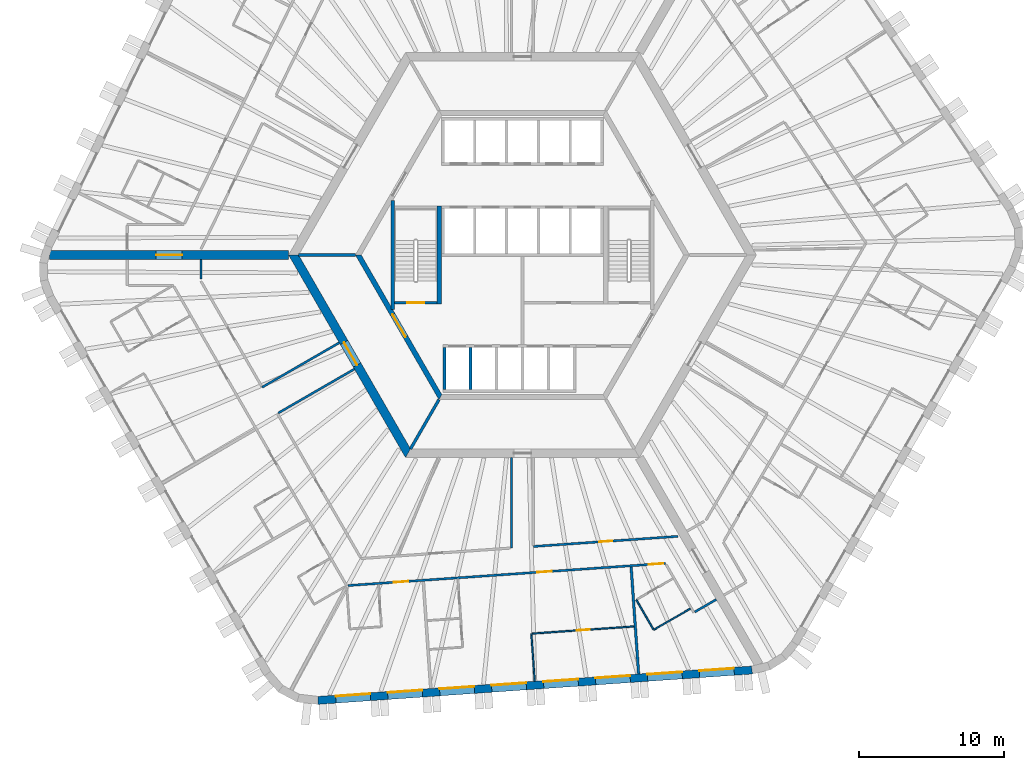
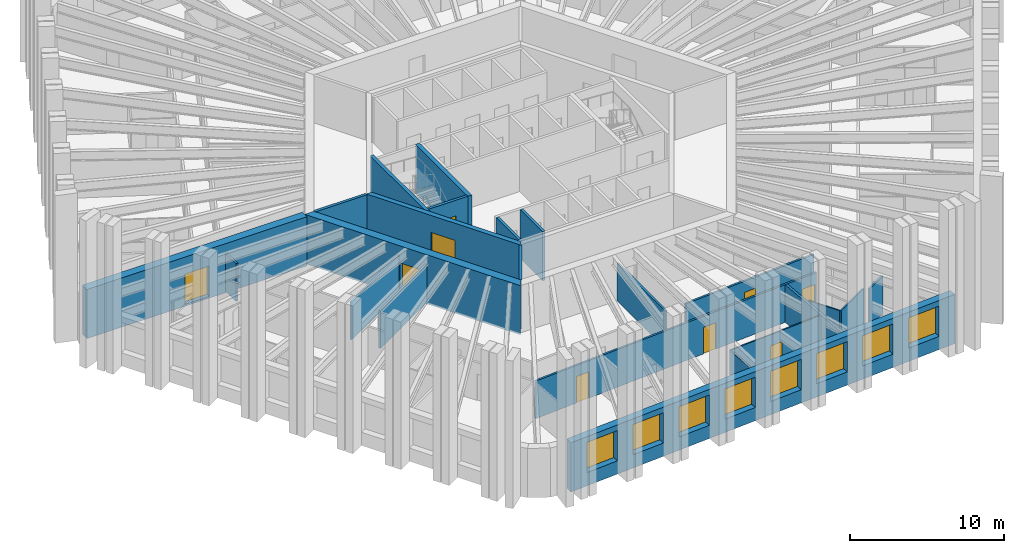
# One storey, part 4 of 13: 23 walls, 9 doors, 8 windows, 17 openings.
"""IFC4 building model written with IfcOpenShell, lengths in metres."""

from ifc_helpers import new_model, si_unit, direction, frame, frame_2d, origin, place, context, subcontext, project, spatial, polyline, rectangle, outline, extrude, material, layer, layer_set, type_object, element, fill, save


model = new_model("IFC4")

# Units and contexts
model_context = context("Model", 3, precision=1e-05, world=origin(), true_north=direction((0.0, 1.0)))
body_context = subcontext(model_context, "Body", "Model", "MODEL_VIEW")
ifc_project = project(units=[si_unit("LENGTHUNIT", "METRE"), si_unit("AREAUNIT", "SQUARE_METRE"), si_unit("VOLUMEUNIT", "CUBIC_METRE"), si_unit("PLANEANGLEUNIT", "RADIAN"), si_unit("MASSUNIT", "GRAM", prefix="KILO")], contexts=[model_context])

# Site, building, storey
site_placement = place(None, origin())
site = spatial("IfcSite", under=ifc_project, at=site_placement, CompositionType="ELEMENT")
building_placement = place(site_placement, origin())
building = spatial("IfcBuilding", under=site, at=building_placement, Name="Tarnside Tower", CompositionType="ELEMENT")
storey_placement = place(building_placement, frame((0.0, 0.0, 123.300048828125)))
storey = spatial("IfcBuildingStorey", under=building, at=storey_placement, Name="L28", CompositionType="ELEMENT", Elevation=123.300048828125)

# Walls
ifc_material_1 = material(Name="Gypsum board partition on steel studs", Category="steel")
ifc_layer_1 = layer(ifc_material_1, 0.10009765625)
ifc_layer_set_1 = layer_set([ifc_layer_1], Name="Bathroom wall 100")
wall_type_1 = type_object("IfcWallType", Name="Bathroom wall 100", PredefinedType="PARTITIONING", material=ifc_layer_set_1)
wall_1_placement = place(storey_placement, frame((11.6015625, -24.444580078125, 0.0), z_axis=(0.0, 0.0, 1.0), x_axis=(-0.866046596414, -0.499963291492, 0.0)))
element("IfcWall", 1, at=wall_1_placement, inside=storey, type_object=wall_type_1, Name="Bathroom wall 09140", PredefinedType="PARTITIONING", context=body_context, shape_type="SweptSolid", body=[
    extrude(rectangle(XDim=2.925048828125, YDim=0.10009765625, at=frame_2d((1.46240234375, 0.0))), origin(), (0.0, 0.0, 1.0), 2.98779296875),
])
wall_2_placement = place(storey_placement, frame((9.04345703125, -25.86376953125, 0.0), z_axis=(0.0, 0.0, 1.0), x_axis=(-0.500016218704, 0.866016039709, 0.0)))
element("IfcWall", 2, at=wall_2_placement, inside=storey, type_object=wall_type_1, Name="Bathroom wall 09141", PredefinedType="PARTITIONING", context=body_context, shape_type="SweptSolid", body=[
    extrude(rectangle(XDim=2.35009765625, YDim=0.10009765625, at=frame_2d((1.175048828125, 0.0))), origin(), (0.0, 0.0, 1.0), 2.98779296875),
])

# Wall, opening, door
ifc_material_2 = material(Name="Concrete C50/60", Category="concrete")
ifc_layer_2 = layer(ifc_material_2, 0.35009765625)
ifc_layer_set_2 = layer_set([ifc_layer_2], Name="Core block wall 350 C50/60")
wall_type_2 = type_object("IfcWallType", Name="Core block wall 350 C50/60", PredefinedType="SHEAR", material=ifc_layer_set_2)
wall_3_placement = place(storey_placement, frame((-11.344970703125, 0.0, -0.150146484375), z_axis=(0.0, 0.0, 1.0), x_axis=(0.499995046907, -0.866028263435, 0.0)))
wall_3 = element("IfcWall", 3, at=wall_3_placement, inside=storey, type_object=wall_type_2, Name="L28 core block wall face 3", PredefinedType="SHEAR", context=body_context, shape_type="SweptSolid", body=[
    extrude(outline(polyline([(-0.10107421875, -0.175048828125), (11.44580078125, -0.175048828125), (11.24365234375, 0.175048828125), (0.10107421875, 0.175048828125), (-0.10107421875, -0.175048828125)])), origin(), (0.0, 0.0, 1.0), 3.900146484375),
])
opening_1_placement = place(wall_3_placement, frame((4.74365234375, 0.0, 0.14990234375)))
opening_1 = element("IfcOpeningElement", 4, at=opening_1_placement, cuts=wall_3, Name="Opening CD-FFL", PredefinedType="OPENING", context=body_context, shape_type="SweptSolid", body=[
    extrude(rectangle(XDim=1.800048828125, YDim=2.39990234375, at=frame_2d((0.89990234375, 1.199951171875))), frame((0.0, 0.18505859375, 0.0), z_axis=(0.0, -1.0, 0.0), x_axis=(1.0, 0.0, 0.0)), (0.0, 0.0, 1.0), 0.3701171875),
])
ifc_material_3 = material(Name="Steel fire door", Category="steel")
door_type_1 = type_object("IfcDoorType", Name="Firefighting lobby double door FD60S 1800x2400", OperationType="NOTDEFINED", PredefinedType="DOOR", material=ifc_material_3)
door_1_placement = place(opening_1_placement, origin())
door_1 = element("IfcDoor", 5, at=door_1_placement, inside=storey, type_object=door_type_1, Name="L28 lobby block door P3", OperationType="DOUBLE_DOOR_SINGLE_SWING", OverallHeight=2.39990234375, OverallWidth=1.800048828125, PredefinedType="DOOR", context=body_context, shape_type="SweptSolid", body=[
    extrude(rectangle(XDim=1.800048828125, YDim=2.39990234375, at=frame_2d((0.89990234375, 1.199951171875))), frame((0.0, 0.02490234375, 0.0), z_axis=(0.0, -1.0, 0.0), x_axis=(1.0, 0.0, 0.0)), (0.0, 0.0, 1.0), 0.050048828125),
])
fill(opening_1, door_1)

ifc_material_4 = material(Name="Concrete C80/95", Category="concrete")
ifc_layer_3 = layer(ifc_material_4, 0.60009765625)
ifc_layer_set_3 = layer_set([ifc_layer_3], Name="Core wall Z1 600 C80/95")
wall_type_3 = type_object("IfcWallType", Name="Core wall Z1 600 C80/95", PredefinedType="SHEAR", material=ifc_layer_set_3)
wall_4_placement = place(storey_placement, frame((-15.8193359375, 0.0, -0.150146484375), z_axis=(0.0, 0.0, 1.0), x_axis=(0.499999880136, -0.866025472988, 0.0)))
wall_4 = element("IfcWall", 6, at=wall_4_placement, inside=storey, type_object=wall_type_3, Name="L28 core wall face 3", PredefinedType="SHEAR", context=body_context, shape_type="SweptSolid", body=[
    extrude(outline(polyline([(-0.17333984375, -0.300048828125), (15.99267578125, -0.300048828125), (15.64599609375, 0.300048828125), (0.17333984375, 0.300048828125), (-0.17333984375, -0.300048828125)])), origin(), (0.0, 0.0, 1.0), 3.900146484375),
])
opening_2_placement = place(wall_4_placement, frame((6.980712890625, 0.0, 0.14990234375)))
opening_2 = element("IfcOpeningElement", 7, at=opening_2_placement, cuts=wall_4, Name="Opening CD-FFL", PredefinedType="OPENING", context=body_context, shape_type="SweptSolid", body=[
    extrude(rectangle(XDim=1.800048828125, YDim=2.39990234375, at=frame_2d((0.89990234375, 1.199951171875))), frame((0.0, 0.31005859375, 0.0), z_axis=(0.0, -1.0, 0.0), x_axis=(1.0, 0.0, 0.0)), (0.0, 0.0, 1.0), 0.6201171875),
])
door_2_placement = place(opening_2_placement, origin())
door_2 = element("IfcDoor", 8, at=door_2_placement, inside=storey, type_object=door_type_1, Name="L28 core door P3", OperationType="DOUBLE_DOOR_SINGLE_SWING", OverallHeight=2.39990234375, OverallWidth=1.800048828125, PredefinedType="DOOR", context=body_context, shape_type="SweptSolid", body=[
    extrude(rectangle(XDim=1.800048828125, YDim=2.39990234375, at=frame_2d((0.89990234375, 1.199951171875))), frame((0.0, 0.02490234375, 0.0), z_axis=(0.0, -1.0, 0.0), x_axis=(1.0, 0.0, 0.0)), (0.0, 0.0, 1.0), 0.050048828125),
])
fill(opening_2, door_2)

wall_5_placement = place(storey_placement, frame((-16.165771484375, 0.0, -0.150146484375), z_axis=(0.0, 0.0, 1.0), x_axis=(-1.0, 0.0, 0.0)))
wall_5 = element("IfcWall", 9, at=wall_5_placement, inside=storey, type_object=wall_type_3, Name="L28 spine wall 2", PredefinedType="SHEAR", context=body_context, shape_type="SweptSolid", body=[
    extrude(rectangle(XDim=16.509033203125, YDim=0.60009765625, at=frame_2d((8.25439453125, 0.0))), origin(), (0.0, 0.0, 1.0), 3.900146484375),
])
opening_3_placement = place(wall_5_placement, frame((7.3544921875, 0.0, 0.14990234375)))
opening_3 = element("IfcOpeningElement", 10, at=opening_3_placement, cuts=wall_5, Name="Opening CD-SPN", PredefinedType="OPENING", context=body_context, shape_type="SweptSolid", body=[
    extrude(rectangle(XDim=1.800048828125, YDim=2.39990234375, at=frame_2d((0.89990234375, 1.199951171875))), frame((0.0, 0.31005859375, 0.0), z_axis=(0.0, -1.0, 0.0), x_axis=(1.0, 0.0, 0.0)), (0.0, 0.0, 1.0), 0.6201171875),
])
door_type_2 = type_object("IfcDoorType", Name="Spine passage double door FD60 1800x2400", OperationType="NOTDEFINED", PredefinedType="DOOR", material=ifc_material_3)
door_3_placement = place(opening_3_placement, origin())
door_3 = element("IfcDoor", 11, at=door_3_placement, inside=storey, type_object=door_type_2, Name="L28 spine passage door 2", OperationType="DOUBLE_DOOR_SINGLE_SWING", OverallHeight=2.39990234375, OverallWidth=1.800048828125, PredefinedType="DOOR", context=body_context, shape_type="SweptSolid", body=[
    extrude(rectangle(XDim=1.800048828125, YDim=2.39990234375, at=frame_2d((0.89990234375, 1.199951171875))), frame((0.0, 0.02490234375, 0.0), z_axis=(0.0, -1.0, 0.0), x_axis=(1.0, 0.0, 0.0)), (0.0, 0.0, 1.0), 0.050048828125),
])
fill(opening_3, door_3)

# Wall, openings, doors
ifc_layer_4 = layer(ifc_material_1, 0.14990234375)
ifc_layer_set_4 = layer_set([ifc_layer_4], Name="Corridor wall 150 EI 60")
wall_type_4 = type_object("IfcWallType", Name="Corridor wall 150 EI 60", PredefinedType="PARTITIONING", material=ifc_layer_set_4)
wall_6_placement = place(storey_placement, frame((-12.068115234375, -22.847412109375, 0.0), z_axis=(0.0, 0.0, 1.0), x_axis=(0.99756437486, 0.069751831595, 0.0)))
wall_6 = element("IfcWall", 12, at=wall_6_placement, inside=storey, type_object=wall_type_4, Name="Corridor wall 09035", PredefinedType="PARTITIONING", context=body_context, shape_type="SweptSolid", body=[
    extrude(rectangle(XDim=22.001708984375, YDim=0.14990234375, at=frame_2d((11.0009765625, 0.0))), origin(), (0.0, 0.0, 1.0), 2.98779296875),
])
opening_4_placement = place(wall_6_placement, frame((3.1689453125, 0.0, 0.0)))
opening_4 = element("IfcOpeningElement", 13, at=opening_4_placement, cuts=wall_6, Name="Opening D-E1", PredefinedType="OPENING", context=body_context, shape_type="SweptSolid", body=[
    extrude(rectangle(XDim=1.0, YDim=2.10009765625, at=frame_2d((0.5, 1.050048828125))), frame((0.0, 0.0849609375, 0.0), z_axis=(0.0, -1.0, 0.0), x_axis=(1.0, 0.0, 0.0)), (0.0, 0.0, 1.0), 0.169921875),
])
opening_5_placement = place(wall_6_placement, frame((13.121337890625, 0.0, 0.0)))
opening_5 = element("IfcOpeningElement", 14, at=opening_5_placement, cuts=wall_6, Name="Opening D-E1", PredefinedType="OPENING", context=body_context, shape_type="SweptSolid", body=[
    extrude(rectangle(XDim=1.0, YDim=2.10009765625, at=frame_2d((0.5, 1.050048828125))), frame((0.0, 0.0849609375, 0.0), z_axis=(0.0, -1.0, 0.0), x_axis=(1.0, 0.0, 0.0)), (0.0, 0.0, 1.0), 0.169921875),
])
opening_6_placement = place(wall_6_placement, frame((20.851806640625, 0.0, 0.0)))
opening_6 = element("IfcOpeningElement", 15, at=opening_6_placement, cuts=wall_6, Name="Opening D-E1", PredefinedType="OPENING", context=body_context, shape_type="SweptSolid", body=[
    extrude(rectangle(XDim=1.0, YDim=2.10009765625, at=frame_2d((0.5, 1.050048828125))), frame((0.0, 0.0849609375, 0.0), z_axis=(0.0, -1.0, 0.0), x_axis=(1.0, 0.0, 0.0)), (0.0, 0.0, 1.0), 0.169921875),
])
ifc_material_5 = material(Name="Timber door leaf", Category="wood")
door_type_3 = type_object("IfcDoorType", Name="Unit entrance door 1000 FD30S", OperationType="NOTDEFINED", PredefinedType="DOOR", material=ifc_material_5)
door_4_placement = place(opening_4_placement, origin())
door_4 = element("IfcDoor", 16, at=door_4_placement, inside=storey, type_object=door_type_3, Name="Unit door 09023", OperationType="SINGLE_SWING_LEFT", OverallHeight=2.10009765625, OverallWidth=1.0, PredefinedType="DOOR", context=body_context, shape_type="SweptSolid", body=[
    extrude(rectangle(XDim=1.0, YDim=2.10009765625, at=frame_2d((0.5, 1.050048828125))), frame((0.0, 0.02490234375, 0.0), z_axis=(0.0, -1.0, 0.0), x_axis=(1.0, 0.0, 0.0)), (0.0, 0.0, 1.0), 0.050048828125),
])
fill(opening_4, door_4)
door_5_placement = place(opening_5_placement, origin())
door_5 = element("IfcDoor", 17, at=door_5_placement, inside=storey, type_object=door_type_3, Name="Unit door 09025", OperationType="SINGLE_SWING_RIGHT", OverallHeight=2.10009765625, OverallWidth=1.0, PredefinedType="DOOR", context=body_context, shape_type="SweptSolid", body=[
    extrude(rectangle(XDim=1.0, YDim=2.10009765625, at=frame_2d((0.5, 1.050048828125))), frame((0.0, 0.02490234375, 0.0), z_axis=(0.0, -1.0, 0.0), x_axis=(1.0, 0.0, 0.0)), (0.0, 0.0, 1.0), 0.050048828125),
])
fill(opening_5, door_5)
door_6_placement = place(opening_6_placement, origin())
door_6 = element("IfcDoor", 18, at=door_6_placement, inside=storey, type_object=door_type_3, Name="Unit door 09029", OperationType="SINGLE_SWING_LEFT", OverallHeight=2.10009765625, OverallWidth=1.0, PredefinedType="DOOR", context=body_context, shape_type="SweptSolid", body=[
    extrude(rectangle(XDim=1.0, YDim=2.10009765625, at=frame_2d((0.5, 1.050048828125))), frame((0.0, 0.02490234375, 0.0), z_axis=(0.0, -1.0, 0.0), x_axis=(1.0, 0.0, 0.0)), (0.0, 0.0, 1.0), 0.050048828125),
])
fill(opening_6, door_6)

# Walls
wall_7_placement = place(storey_placement, frame((11.906494140625, -24.672607421875, 0.0), z_axis=(0.0, 0.0, 1.0), x_axis=(0.866013532718, 0.500020560727, 0.0)))
element("IfcWall", 19, at=wall_7_placement, inside=storey, type_object=wall_type_4, Name="Corridor wall 09042", PredefinedType="PARTITIONING", context=body_context, shape_type="SweptSolid", body=[
    extrude(rectangle(XDim=1.72509765625, YDim=0.14990234375, at=frame_2d((0.862548828125, 0.0))), origin(), (0.0, 0.0, 1.0), 2.98779296875),
])
wall_8_placement = place(storey_placement, frame((-12.663818359375, -6.065673828125, 0.0), z_axis=(0.0, 0.0, 1.0), x_axis=(-0.866023618125, -0.500003092839, 0.0)))
element("IfcWall", 20, at=wall_8_placement, inside=storey, type_object=wall_type_4, Name="Corridor wall 09044", PredefinedType="PARTITIONING", context=body_context, shape_type="SweptSolid", body=[
    extrude(rectangle(XDim=6.14990234375, YDim=0.14990234375, at=frame_2d((3.074951171875, 0.0))), origin(), (0.0, 0.0, 1.0), 2.98779296875),
])
wall_9_placement = place(storey_placement, frame((-22.218994140625, -1.665771484375, 0.0), z_axis=(0.0, 0.0, 1.0), x_axis=(0.0, 1.0, 0.0)))
element("IfcWall", 21, at=wall_9_placement, inside=storey, type_object=wall_type_4, Name="Corridor wall 09046", PredefinedType="PARTITIONING", context=body_context, shape_type="SweptSolid", body=[
    extrude(rectangle(XDim=1.36572265625, YDim=0.14990234375, at=frame_2d((0.682861328125, 0.0))), origin(), (0.0, 0.0, 1.0), 2.98779296875),
])
wall_10_placement = place(storey_placement, frame((-0.75, -14.0, 0.0), z_axis=(0.0, 0.0, 1.0), x_axis=(0.0, -1.0, 0.0)))
element("IfcWall", 22, at=wall_10_placement, inside=storey, type_object=wall_type_4, Name="Corridor wall 09047", PredefinedType="PARTITIONING", context=body_context, shape_type="SweptSolid", body=[
    extrude(rectangle(XDim=6.251708984375, YDim=0.14990234375, at=frame_2d((3.1259765625, 0.0))), origin(), (0.0, 0.0, 1.0), 2.98779296875),
])
wall_11_placement = place(storey_placement, frame((-16.875, -10.921875, 0.0), z_axis=(0.0, 0.0, 1.0), x_axis=(0.866023634079, 0.500003065207, 0.0)))
element("IfcWall", 23, at=wall_11_placement, inside=storey, type_object=wall_type_4, Name="Corridor wall 09051", PredefinedType="PARTITIONING", context=body_context, shape_type="SweptSolid", body=[
    extrude(rectangle(XDim=6.0751953125, YDim=0.14990234375, at=frame_2d((3.03759765625, 0.0))), origin(), (0.0, 0.0, 1.0), 2.98779296875),
])

# Wall, opening, door
wall_12_placement = place(storey_placement, frame((10.75439453125, -19.447265625, 0.0), z_axis=(0.0, 0.0, 1.0), x_axis=(-0.997564830966, -0.069745308232, 0.0)))
wall_12 = element("IfcWall", 24, at=wall_12_placement, inside=storey, type_object=wall_type_4, Name="Corridor wall 09052", PredefinedType="PARTITIONING", context=body_context, shape_type="SweptSolid", body=[
    extrude(rectangle(XDim=10.02880859375, YDim=0.14990234375, at=frame_2d((5.014404296875, 0.0))), origin(), (0.0, 0.0, 1.0), 2.98779296875),
])
opening_7_placement = place(wall_12_placement, frame((4.564453125, 0.0, 0.0)))
opening_7 = element("IfcOpeningElement", 25, at=opening_7_placement, cuts=wall_12, Name="Opening D-S1", PredefinedType="OPENING", context=body_context, shape_type="SweptSolid", body=[
    extrude(rectangle(XDim=0.89990234375, YDim=2.10009765625, at=frame_2d((0.449951171875, 1.050048828125))), frame((0.0, 0.0849609375, 0.0), z_axis=(0.0, -1.0, 0.0), x_axis=(1.0, 0.0, 0.0)), (0.0, 0.0, 1.0), 0.169921875),
])
door_type_4 = type_object("IfcDoorType", Name="Service room door 900 FD30S", OperationType="NOTDEFINED", PredefinedType="DOOR", material=ifc_material_5)
door_7_placement = place(opening_7_placement, origin())
door_7 = element("IfcDoor", 26, at=door_7_placement, inside=storey, type_object=door_type_4, Name="Service door 09052", OperationType="SINGLE_SWING_LEFT", OverallHeight=2.10009765625, OverallWidth=0.89990234375, PredefinedType="DOOR", context=body_context, shape_type="SweptSolid", body=[
    extrude(rectangle(XDim=0.89990234375, YDim=2.10009765625, at=frame_2d((0.449951171875, 1.050048828125))), frame((0.0, 0.02490234375, 0.0), z_axis=(0.0, -1.0, 0.0), x_axis=(1.0, 0.0, 0.0)), (0.0, 0.0, 1.0), 0.050048828125),
])
fill(opening_7, door_7)

# Walls
ifc_layer_5 = layer(ifc_material_1, 0.179931640625)
ifc_layer_set_5 = layer_set([ifc_layer_5], Name="Demising wall 180 EI 60")
wall_type_5 = type_object("IfcWallType", Name="Demising wall 180 EI 60", PredefinedType="PARTITIONING", material=ifc_layer_set_5)
wall_13_placement = place(storey_placement, frame((8.028564453125, -28.96044921875, 0.0), z_axis=(0.0, 0.0, 1.0), x_axis=(-0.069739801019, 0.99756521599, 0.0)))
element("IfcWall", 27, at=wall_13_placement, inside=storey, type_object=wall_type_5, Name="Demising wall 09137", PredefinedType="PARTITIONING", context=body_context, shape_type="SweptSolid", body=[
    extrude(rectangle(XDim=7.425048828125, YDim=0.179931640625, at=frame_2d((3.71240234375, 0.0))), origin(), (0.0, 0.0, 1.0), 2.98779296875),
])
ifc_material_6 = material(Name="Concrete C40/50", Category="concrete")
ifc_layer_6 = layer(ifc_material_6, 0.199951171875)
ifc_layer_set_6 = layer_set([ifc_layer_6], Name="Lift shaft wall 200 C40/50")
wall_type_6 = type_object("IfcWallType", Name="Lift shaft wall 200 C40/50", PredefinedType="SHEAR", material=ifc_layer_set_6)
for number, where, z_axis, x_axis, name in (
    (28, (-5.39990234375, -9.300048828125, -0.25), (0.0, 0.0, 1.0), (0.0, 1.0, 0.0), "L28 lift shaft partition R41"),
    (29, (-3.60009765625, -9.300048828125, -0.25), (0.0, 0.0, 1.0), (0.0, 1.0, 0.0), "L28 lift shaft partition R42"),
):
    element("IfcWall", number, at=place(storey_placement, frame(where, z_axis=z_axis, x_axis=x_axis)), inside=storey, type_object=wall_type_6, Name=name, PredefinedType="SHEAR", context=body_context, shape_type="SweptSolid", body=[
        extrude(rectangle(XDim=2.900146484375, YDim=0.199951171875, at=frame_2d((1.4501953125, 0.0))), origin(), (0.0, 0.0, 1.0), 3.89990234375),
    ])
wall_14_placement = place(storey_placement, frame((-11.547119140625, 0.0, -0.150146484375), z_axis=(0.0, 0.0, 1.0), x_axis=(-1.0, 0.0, 0.0)))
element("IfcWall", 30, at=wall_14_placement, inside=storey, type_object=wall_type_6, Name="L28 core partition AR180", PredefinedType="SHEAR", context=body_context, shape_type="SweptSolid", body=[
    extrude(rectangle(XDim=3.92578125, YDim=0.199951171875, at=frame_2d((1.962890625, 0.0))), origin(), (0.0, 0.0, 1.0), 3.900146484375),
])
wall_15_placement = place(storey_placement, frame((-5.7734375, -10.0, -0.150146484375), z_axis=(0.0, 0.0, 1.0), x_axis=(-0.500038251005, -0.86600331843, 0.0)))
element("IfcWall", 31, at=wall_15_placement, inside=storey, type_object=wall_type_6, Name="L28 core partition AR240", PredefinedType="SHEAR", context=body_context, shape_type="SweptSolid", body=[
    extrude(rectangle(XDim=3.926025390625, YDim=0.199951171875, at=frame_2d((1.962890625, 0.0))), origin(), (0.0, 0.0, 1.0), 3.900146484375),
])

# Wall, opening, door
wall_16_placement = place(storey_placement, frame((-8.85009765625, -3.300048828125, -0.25), z_axis=(0.0, 0.0, 1.0), x_axis=(1.0, 0.0, 0.0)))
wall_16 = element("IfcWall", 32, at=wall_16_placement, inside=storey, type_object=wall_type_6, Name="L28 stair 2 enclosure cap wall s", PredefinedType="SHEAR", context=body_context, shape_type="SweptSolid", body=[
    extrude(rectangle(XDim=2.9501953125, YDim=0.199951171875, at=frame_2d((1.47509765625, 0.0))), origin(), (0.0, 0.0, 1.0), 3.89990234375),
])
opening_8_placement = place(wall_16_placement, frame((0.875, 0.0, 0.25)))
opening_8 = element("IfcOpeningElement", 33, at=opening_8_placement, cuts=wall_16, Name="Opening CD-STR", PredefinedType="OPENING", context=body_context, shape_type="SweptSolid", body=[
    extrude(rectangle(XDim=1.199951171875, YDim=2.39990234375, at=frame_2d((0.60009765625, 1.199951171875))), frame((0.0, 0.10986328125, 0.0), z_axis=(0.0, -1.0, 0.0), x_axis=(1.0, 0.0, 0.0)), (0.0, 0.0, 1.0), 0.219970703125),
])
door_type_5 = type_object("IfcDoorType", Name="Stair door FD60S 1200x2400", OperationType="NOTDEFINED", PredefinedType="DOOR", material=ifc_material_3)
door_8_placement = place(opening_8_placement, origin())
door_8 = element("IfcDoor", 34, at=door_8_placement, inside=storey, type_object=door_type_5, Name="L28 stair 2 door", OperationType="SINGLE_SWING_LEFT", OverallHeight=2.39990234375, OverallWidth=1.199951171875, PredefinedType="DOOR", context=body_context, shape_type="SweptSolid", body=[
    extrude(rectangle(XDim=1.199951171875, YDim=2.39990234375, at=frame_2d((0.60009765625, 1.199951171875))), frame((0.0, 0.02490234375, 0.0), z_axis=(0.0, -1.0, 0.0), x_axis=(1.0, 0.0, 0.0)), (0.0, 0.0, 1.0), 0.050048828125),
])
fill(opening_8, door_8)

# Wall
ifc_layer_7 = layer(ifc_material_1, 0.10009765625)
ifc_layer_set_7 = layer_set([ifc_layer_7], Name="Partition 100")
wall_type_7 = type_object("IfcWallType", Name="Partition 100", PredefinedType="PARTITIONING", material=ifc_layer_set_7)
wall_17_placement = place(storey_placement, frame((0.84619140625, -29.462646484375, 0.0), z_axis=(0.0, 0.0, 1.0), x_axis=(-0.069769490542, 0.997563139951, 0.0)))
element("IfcWall", 35, at=wall_17_placement, inside=storey, type_object=wall_type_7, Name="Partition wall 09135", PredefinedType="PARTITIONING", context=body_context, shape_type="SweptSolid", body=[
    extrude(rectangle(XDim=3.2998046875, YDim=0.10009765625, at=frame_2d((1.64990234375, 0.0))), origin(), (0.0, 0.0, 1.0), 2.98779296875),
])

# Wall, opening, door
wall_18_placement = place(storey_placement, frame((0.665771484375, -26.167236328125, 0.0), z_axis=(0.0, 0.0, 1.0), x_axis=(0.997564648601, 0.069747916536, 0.0)))
wall_18 = element("IfcWall", 36, at=wall_18_placement, inside=storey, type_object=wall_type_7, Name="Partition wall 09136", PredefinedType="PARTITIONING", context=body_context, shape_type="SweptSolid", body=[
    extrude(rectangle(XDim=7.06005859375, YDim=0.10009765625, at=frame_2d((3.530029296875, 0.0))), origin(), (0.0, 0.0, 1.0), 2.98779296875),
])
opening_9_placement = place(wall_18_placement, frame((3.10009765625, 0.0, 0.0)))
opening_9 = element("IfcOpeningElement", 37, at=opening_9_placement, cuts=wall_18, Name="Opening D-I1", PredefinedType="OPENING", context=body_context, shape_type="SweptSolid", body=[
    extrude(rectangle(XDim=0.89990234375, YDim=2.10009765625, at=frame_2d((0.449951171875, 1.050048828125))), frame((0.0, 0.06005859375, 0.0), z_axis=(0.0, -1.0, 0.0), x_axis=(1.0, 0.0, 0.0)), (0.0, 0.0, 1.0), 0.1201171875),
])
door_type_6 = type_object("IfcDoorType", Name="Internal door 900", OperationType="NOTDEFINED", PredefinedType="DOOR", material=ifc_material_5)
door_9_placement = place(opening_9_placement, origin())
door_9 = element("IfcDoor", 38, at=door_9_placement, inside=storey, type_object=door_type_6, Name="Internal door 09028", OperationType="SINGLE_SWING_LEFT", OverallHeight=2.10009765625, OverallWidth=0.89990234375, PredefinedType="DOOR", context=body_context, shape_type="SweptSolid", body=[
    extrude(rectangle(XDim=0.89990234375, YDim=2.10009765625, at=frame_2d((0.449951171875, 1.050048828125))), frame((0.0, 0.02490234375, 0.0), z_axis=(0.0, -1.0, 0.0), x_axis=(1.0, 0.0, 0.0)), (0.0, 0.0, 1.0), 0.050048828125),
])
fill(opening_9, door_9)

# Walls
ifc_layer_8 = layer(ifc_material_6, 0.25)
ifc_layer_set_8 = layer_set([ifc_layer_8], Name="Stair enclosure wall 250 C40/50")
wall_type_8 = type_object("IfcWallType", Name="Stair enclosure wall 250 C40/50", PredefinedType="SHEAR", material=ifc_layer_set_8)
wall_19_placement = place(storey_placement, frame((-8.97509765625, -3.7548828125, -0.25), z_axis=(0.0, 0.0, 1.0), x_axis=(0.0, 1.0, 0.0)))
element("IfcWall", 39, at=wall_19_placement, inside=storey, type_object=wall_type_8, Name="L28 stair 2 enclosure wall outer", PredefinedType="SHEAR", context=body_context, shape_type="SweptSolid", body=[
    extrude(rectangle(XDim=7.509765625, YDim=0.25, at=frame_2d((3.7548828125, 0.0))), origin(), (0.0, 0.0, 1.0), 3.89990234375),
])
ifc_layer_9 = layer(ifc_material_6, 0.300048828125)
ifc_layer_set_9 = layer_set([ifc_layer_9], Name="Stair enclosure wall 300 C40/50")
wall_type_9 = type_object("IfcWallType", Name="Stair enclosure wall 300 C40/50", PredefinedType="SHEAR", material=ifc_layer_set_9)
wall_20_placement = place(storey_placement, frame((-5.75, -3.39990234375, -0.25), z_axis=(0.0, 0.0, 1.0), x_axis=(0.0, 1.0, 0.0)))
element("IfcWall", 40, at=wall_20_placement, inside=storey, type_object=wall_type_9, Name="L28 stair 2 enclosure wall inner", PredefinedType="SHEAR", context=body_context, shape_type="SweptSolid", body=[
    extrude(rectangle(XDim=6.7998046875, YDim=0.300048828125, at=frame_2d((3.39990234375, 0.0))), origin(), (0.0, 0.0, 1.0), 3.89990234375),
])

# Wall, openings, windows
ifc_material_7 = material(Name="Facing brick", Category="masonry")
ifc_layer_10 = layer(ifc_material_7, 0.10205078125)
ifc_material_8 = material(Name="Concrete C60/75 precast", Category="concrete")
ifc_layer_11 = layer(ifc_material_8, 0.347900390625)
ifc_material_9 = material(Name="Mineral wool insulation")
ifc_layer_12 = layer(ifc_material_9, 0.10009765625)
ifc_layer_set_10 = layer_set([ifc_layer_10, ifc_layer_11, ifc_layer_12], Name="Tube wall 550 brick faced")
wall_type_10 = type_object("IfcWallType", Name="Tube wall 550 brick faced", PredefinedType="SOLIDWALL", material=ifc_layer_set_10)
wall_21_placement = place(storey_placement, frame((-14.133544921875, -30.785888671875, -0.150146484375), z_axis=(0.0, 0.0, 1.0), x_axis=(0.997564037441, 0.069756657061, 0.0)))
wall_21 = element("IfcWall", 41, at=wall_21_placement, inside=storey, type_object=wall_type_10, Name="Tube wall L28 F4 flush 12", PredefinedType="SOLIDWALL", context=body_context, shape_type="SweptSolid", body=[
    extrude(outline(polyline([(-0.025634765625, -0.27490234375), (30.093505859375, -0.27490234375), (30.048583984375, 0.27490234375), (0.025634765625, 0.27490234375), (-0.025634765625, -0.27490234375)])), origin(), (0.0, 0.0, 1.0), 3.900146484375),
])
opening_10_placement = place(wall_21_placement, frame((1.235595703125, 0.0, 1.050048828125)))
opening_10 = element("IfcOpeningElement", 42, at=opening_10_placement, cuts=wall_21, Name="Opening WH", PredefinedType="OPENING", context=body_context, shape_type="SweptSolid", body=[
    extrude(rectangle(XDim=2.39990234375, YDim=2.39990234375, at=frame_2d((1.199951171875, 1.199951171875))), frame((0.0, 0.28515625, 0.0), z_axis=(0.0, -1.0, 0.0), x_axis=(1.0, 0.0, 0.0)), (0.0, 0.0, 1.0), 0.570068359375),
])
opening_11_placement = place(wall_21_placement, frame((4.83544921875, 0.0, 1.050048828125)))
opening_11 = element("IfcOpeningElement", 43, at=opening_11_placement, cuts=wall_21, Name="Opening WH", PredefinedType="OPENING", context=body_context, shape_type="SweptSolid", body=[
    extrude(rectangle(XDim=2.39990234375, YDim=2.39990234375, at=frame_2d((1.199951171875, 1.199951171875))), frame((0.0, 0.28515625, 0.0), z_axis=(0.0, -1.0, 0.0), x_axis=(1.0, 0.0, 0.0)), (0.0, 0.0, 1.0), 0.570068359375),
])
opening_12_placement = place(wall_21_placement, frame((8.435546875, 0.0, 1.050048828125)))
opening_12 = element("IfcOpeningElement", 44, at=opening_12_placement, cuts=wall_21, Name="Opening WH", PredefinedType="OPENING", context=body_context, shape_type="SweptSolid", body=[
    extrude(rectangle(XDim=2.39990234375, YDim=2.39990234375, at=frame_2d((1.199951171875, 1.199951171875))), frame((0.0, 0.28515625, 0.0), z_axis=(0.0, -1.0, 0.0), x_axis=(1.0, 0.0, 0.0)), (0.0, 0.0, 1.0), 0.570068359375),
])
opening_13_placement = place(wall_21_placement, frame((12.035400390625, 0.0, 1.050048828125)))
opening_13 = element("IfcOpeningElement", 45, at=opening_13_placement, cuts=wall_21, Name="Opening WH", PredefinedType="OPENING", context=body_context, shape_type="SweptSolid", body=[
    extrude(rectangle(XDim=2.39990234375, YDim=2.39990234375, at=frame_2d((1.199951171875, 1.199951171875))), frame((0.0, 0.28515625, 0.0), z_axis=(0.0, -1.0, 0.0), x_axis=(1.0, 0.0, 0.0)), (0.0, 0.0, 1.0), 0.570068359375),
])
opening_14_placement = place(wall_21_placement, frame((15.635498046875, 0.0, 1.050048828125)))
opening_14 = element("IfcOpeningElement", 46, at=opening_14_placement, cuts=wall_21, Name="Opening WH", PredefinedType="OPENING", context=body_context, shape_type="SweptSolid", body=[
    extrude(rectangle(XDim=2.39990234375, YDim=2.39990234375, at=frame_2d((1.199951171875, 1.199951171875))), frame((0.0, 0.28515625, 0.0), z_axis=(0.0, -1.0, 0.0), x_axis=(1.0, 0.0, 0.0)), (0.0, 0.0, 1.0), 0.570068359375),
])
opening_15_placement = place(wall_21_placement, frame((19.235595703125, 0.0, 1.050048828125)))
opening_15 = element("IfcOpeningElement", 47, at=opening_15_placement, cuts=wall_21, Name="Opening WH", PredefinedType="OPENING", context=body_context, shape_type="SweptSolid", body=[
    extrude(rectangle(XDim=2.39990234375, YDim=2.39990234375, at=frame_2d((1.199951171875, 1.199951171875))), frame((0.0, 0.28515625, 0.0), z_axis=(0.0, -1.0, 0.0), x_axis=(1.0, 0.0, 0.0)), (0.0, 0.0, 1.0), 0.570068359375),
])
opening_16_placement = place(wall_21_placement, frame((22.83544921875, 0.0, 1.050048828125)))
opening_16 = element("IfcOpeningElement", 48, at=opening_16_placement, cuts=wall_21, Name="Opening WH", PredefinedType="OPENING", context=body_context, shape_type="SweptSolid", body=[
    extrude(rectangle(XDim=2.39990234375, YDim=2.39990234375, at=frame_2d((1.199951171875, 1.199951171875))), frame((0.0, 0.28515625, 0.0), z_axis=(0.0, -1.0, 0.0), x_axis=(1.0, 0.0, 0.0)), (0.0, 0.0, 1.0), 0.570068359375),
])
opening_17_placement = place(wall_21_placement, frame((26.435546875, 0.0, 1.050048828125)))
opening_17 = element("IfcOpeningElement", 49, at=opening_17_placement, cuts=wall_21, Name="Opening WH", PredefinedType="OPENING", context=body_context, shape_type="SweptSolid", body=[
    extrude(rectangle(XDim=2.39990234375, YDim=2.39990234375, at=frame_2d((1.199951171875, 1.199951171875))), frame((0.0, 0.28515625, 0.0), z_axis=(0.0, -1.0, 0.0), x_axis=(1.0, 0.0, 0.0)), (0.0, 0.0, 1.0), 0.570068359375),
])
ifc_material_10 = material(Name="Aluminium-framed double glazing", Category="aluminium")
window_type = type_object("IfcWindowType", Name="Hotel window 2400 x 2400", PartitioningType="DOUBLE_PANEL_VERTICAL", PredefinedType="WINDOW", material=ifc_material_10)
window_1_placement = place(opening_10_placement, frame((0.0, 0.205078125, 0.0)))
window_1 = element("IfcWindow", 50, at=window_1_placement, inside=storey, type_object=window_type, Name="E.WN.L28.F4.00", OverallHeight=2.39990234375, OverallWidth=2.39990234375, PartitioningType="DOUBLE_PANEL_VERTICAL", PredefinedType="WINDOW", context=body_context, shape_type="SweptSolid", body=[
    extrude(rectangle(XDim=2.39990234375, YDim=2.39990234375, at=frame_2d((1.199951171875, 1.199951171875))), frame((0.0, 0.030029296875, 0.0), z_axis=(0.0, -1.0, 0.0), x_axis=(1.0, 0.0, 0.0)), (0.0, 0.0, 1.0), 0.06005859375),
])
fill(opening_10, window_1)
window_2_placement = place(opening_11_placement, frame((0.0, 0.205078125, 0.0)))
window_2 = element("IfcWindow", 51, at=window_2_placement, inside=storey, type_object=window_type, Name="E.WN.L28.F4.01", OverallHeight=2.39990234375, OverallWidth=2.39990234375, PartitioningType="DOUBLE_PANEL_VERTICAL", PredefinedType="WINDOW", context=body_context, shape_type="SweptSolid", body=[
    extrude(rectangle(XDim=2.39990234375, YDim=2.39990234375, at=frame_2d((1.199951171875, 1.199951171875))), frame((0.0, 0.030029296875, 0.0), z_axis=(0.0, -1.0, 0.0), x_axis=(1.0, 0.0, 0.0)), (0.0, 0.0, 1.0), 0.06005859375),
])
fill(opening_11, window_2)
window_3_placement = place(opening_12_placement, frame((0.0, 0.205078125, 0.0)))
window_3 = element("IfcWindow", 52, at=window_3_placement, inside=storey, type_object=window_type, Name="E.WN.L28.F4.02", OverallHeight=2.39990234375, OverallWidth=2.39990234375, PartitioningType="DOUBLE_PANEL_VERTICAL", PredefinedType="WINDOW", context=body_context, shape_type="SweptSolid", body=[
    extrude(rectangle(XDim=2.39990234375, YDim=2.39990234375, at=frame_2d((1.199951171875, 1.199951171875))), frame((0.0, 0.030029296875, 0.0), z_axis=(0.0, -1.0, 0.0), x_axis=(1.0, 0.0, 0.0)), (0.0, 0.0, 1.0), 0.06005859375),
])
fill(opening_12, window_3)
window_4_placement = place(opening_13_placement, frame((0.0, 0.205078125, 0.0)))
window_4 = element("IfcWindow", 53, at=window_4_placement, inside=storey, type_object=window_type, Name="E.WN.L28.F4.03", OverallHeight=2.39990234375, OverallWidth=2.39990234375, PartitioningType="DOUBLE_PANEL_VERTICAL", PredefinedType="WINDOW", context=body_context, shape_type="SweptSolid", body=[
    extrude(rectangle(XDim=2.39990234375, YDim=2.39990234375, at=frame_2d((1.199951171875, 1.199951171875))), frame((0.0, 0.030029296875, 0.0), z_axis=(0.0, -1.0, 0.0), x_axis=(1.0, 0.0, 0.0)), (0.0, 0.0, 1.0), 0.06005859375),
])
fill(opening_13, window_4)
window_5_placement = place(opening_14_placement, frame((0.0, 0.205078125, 0.0)))
window_5 = element("IfcWindow", 54, at=window_5_placement, inside=storey, type_object=window_type, Name="E.WN.L28.F4.04", OverallHeight=2.39990234375, OverallWidth=2.39990234375, PartitioningType="DOUBLE_PANEL_VERTICAL", PredefinedType="WINDOW", context=body_context, shape_type="SweptSolid", body=[
    extrude(rectangle(XDim=2.39990234375, YDim=2.39990234375, at=frame_2d((1.199951171875, 1.199951171875))), frame((0.0, 0.030029296875, 0.0), z_axis=(0.0, -1.0, 0.0), x_axis=(1.0, 0.0, 0.0)), (0.0, 0.0, 1.0), 0.06005859375),
])
fill(opening_14, window_5)
window_6_placement = place(opening_15_placement, frame((0.0, 0.205078125, 0.0)))
window_6 = element("IfcWindow", 55, at=window_6_placement, inside=storey, type_object=window_type, Name="E.WN.L28.F4.05", OverallHeight=2.39990234375, OverallWidth=2.39990234375, PartitioningType="DOUBLE_PANEL_VERTICAL", PredefinedType="WINDOW", context=body_context, shape_type="SweptSolid", body=[
    extrude(rectangle(XDim=2.39990234375, YDim=2.39990234375, at=frame_2d((1.199951171875, 1.199951171875))), frame((0.0, 0.030029296875, 0.0), z_axis=(0.0, -1.0, 0.0), x_axis=(1.0, 0.0, 0.0)), (0.0, 0.0, 1.0), 0.06005859375),
])
fill(opening_15, window_6)
window_7_placement = place(opening_16_placement, frame((0.0, 0.205078125, 0.0)))
window_7 = element("IfcWindow", 56, at=window_7_placement, inside=storey, type_object=window_type, Name="E.WN.L28.F4.06", OverallHeight=2.39990234375, OverallWidth=2.39990234375, PartitioningType="DOUBLE_PANEL_VERTICAL", PredefinedType="WINDOW", context=body_context, shape_type="SweptSolid", body=[
    extrude(rectangle(XDim=2.39990234375, YDim=2.39990234375, at=frame_2d((1.199951171875, 1.199951171875))), frame((0.0, 0.030029296875, 0.0), z_axis=(0.0, -1.0, 0.0), x_axis=(1.0, 0.0, 0.0)), (0.0, 0.0, 1.0), 0.06005859375),
])
fill(opening_16, window_7)
window_8_placement = place(opening_17_placement, frame((0.0, 0.205078125, 0.0)))
window_8 = element("IfcWindow", 57, at=window_8_placement, inside=storey, type_object=window_type, Name="E.WN.L28.F4.07", OverallHeight=2.39990234375, OverallWidth=2.39990234375, PartitioningType="DOUBLE_PANEL_VERTICAL", PredefinedType="WINDOW", context=body_context, shape_type="SweptSolid", body=[
    extrude(rectangle(XDim=2.39990234375, YDim=2.39990234375, at=frame_2d((1.199951171875, 1.199951171875))), frame((0.0, 0.030029296875, 0.0), z_axis=(0.0, -1.0, 0.0), x_axis=(1.0, 0.0, 0.0)), (0.0, 0.0, 1.0), 0.06005859375),
])
fill(opening_17, window_8)

save(model, "model.ifc")
